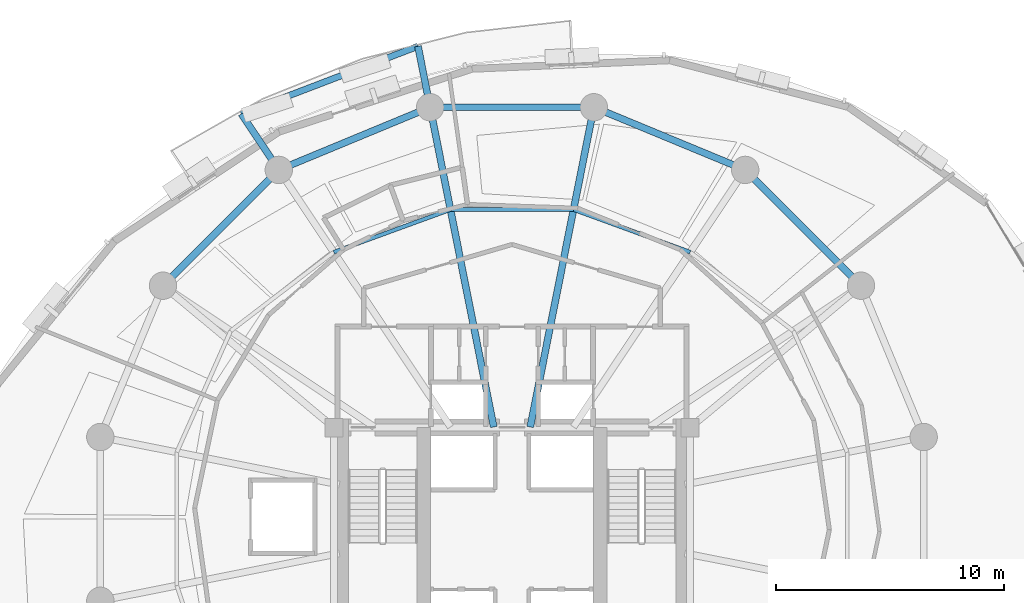
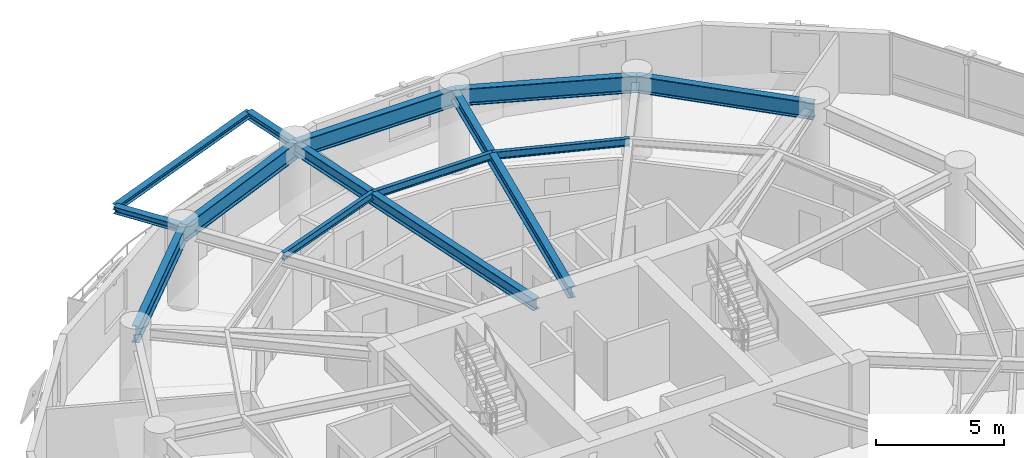
# One storey, part 7 of 15: 13 beams.
"""IFC4 building model written with IfcOpenShell, lengths in metres."""

from ifc_helpers import new_model, si_unit, direction, frame, origin, origin_2d, place, context, subcontext, project, spatial, i_section, extrude, material, material_profile, profile_set, type_object, element, save


model = new_model("IFC4")

# Units and contexts
model_context = context("Model", 3, precision=1e-05, world=origin(), true_north=direction((0.0, 1.0)))
body_context = subcontext(model_context, "Body", "Model", "MODEL_VIEW")
ifc_project = project(units=[si_unit("LENGTHUNIT", "METRE"), si_unit("AREAUNIT", "SQUARE_METRE"), si_unit("VOLUMEUNIT", "CUBIC_METRE"), si_unit("PLANEANGLEUNIT", "RADIAN"), si_unit("MASSUNIT", "GRAM", prefix="KILO"), si_unit("THERMODYNAMICTEMPERATUREUNIT", "KELVIN"), si_unit("POWERUNIT", "WATT")], contexts=[model_context])

# Site, building, storey
site_placement = place(None, origin())
site = spatial("IfcSite", under=ifc_project, at=site_placement, CompositionType="ELEMENT")
building_placement = place(site_placement, origin())
building = spatial("IfcBuilding", under=site, at=building_placement, Name="Ocrelia Relay Tower", CompositionType="ELEMENT")
storey_placement = place(building_placement, frame((0.0, 0.0, 109.800048828125)))
storey = spatial("IfcBuildingStorey", under=building, at=storey_placement, Name="L25", CompositionType="ELEMENT", Elevation=109.800048828125)

# Beams
ifc_material = material(Name="Steel S355", Category="steel")
ifc_material_profile_1 = material_profile(ifc_material, i_section(OverallWidth=0.280029296875, OverallDepth=0.27001953125, WebThickness=0.008056640625, FlangeThickness=0.012939453125, FilletRadius=0.02392578125, at=origin_2d()), Name="HEA 280")
ifc_profile_set_1 = profile_set([ifc_material_profile_1], Name="Steel S355")
beam_type_1 = type_object("IfcBeamType", Name="BM-HEA280", PredefinedType="BEAM", material=ifc_profile_set_1)
beam_1_placement = place(storey_placement, frame((29.878662109375, 46.718994140625, 3.5849609375), z_axis=(-0.933909895716, -0.357508470785, 0.0), x_axis=(0.357508470785, -0.933909895716, 0.0)))
element("IfcBeam", 1, at=beam_1_placement, inside=storey, type_object=beam_type_1, Name="L26 Balcony Edge Trimmer Beam B1", PredefinedType="BEAM", context=body_context, shape_type="SweptSolid", body=[
    extrude(i_section(OverallWidth=0.280029296875, OverallDepth=0.27001953125, WebThickness=0.008056640625, FlangeThickness=0.012939453125, FilletRadius=0.02392578125, at=origin_2d()), origin(), (0.0, 0.0, 1.0), 8.290283203125),
])
ifc_material_profile_2 = material_profile(ifc_material, i_section(OverallWidth=0.300048828125, OverallDepth=0.330078125, WebThickness=0.009521484375, FlangeThickness=0.0166015625, FilletRadius=0.027099609375, at=origin_2d()), Name="HEA 340")
ifc_profile_set_2 = profile_set([ifc_material_profile_2], Name="Steel S355")
beam_type_2 = type_object("IfcBeamType", Name="BM-HEA340", PredefinedType="BEAM", material=ifc_profile_set_2)
beam_2_placement = place(storey_placement, frame((30.410400390625, 44.04638671875, 3.554931640625), z_axis=(-0.195133957633, 0.98077659973, 0.0), x_axis=(-0.98077659973, -0.195133957633, 0.0)))
element("IfcBeam", 2, at=beam_2_placement, inside=storey, type_object=beam_type_2, Name="L26 Balcony Cantilever Beam B1-1", PredefinedType="BEAM", context=body_context, shape_type="SweptSolid", body=[
    extrude(i_section(OverallWidth=0.300048828125, OverallDepth=0.330078125, WebThickness=0.009521484375, FlangeThickness=0.0166015625, FilletRadius=0.027099609375, at=origin_2d()), origin(), (0.0, 0.0, 1.0), 2.72509765625),
])
beam_3_placement = place(storey_placement, frame((23.777587890625, 41.299072265625, 3.554931640625), z_axis=(-0.555634390845, 0.831426739834, 0.0), x_axis=(-0.831426739834, -0.555634390845, 0.0)))
element("IfcBeam", 3, at=beam_3_placement, inside=storey, type_object=beam_type_2, Name="L26 Balcony Cantilever Beam B1-2", PredefinedType="BEAM", context=body_context, shape_type="SweptSolid", body=[
    extrude(i_section(OverallWidth=0.300048828125, OverallDepth=0.330078125, WebThickness=0.009521484375, FlangeThickness=0.0166015625, FilletRadius=0.027099609375, at=origin_2d()), origin(), (0.0, 0.0, 1.0), 2.9541015625),
])
ifc_material_profile_3 = material_profile(ifc_material, i_section(OverallWidth=0.300048828125, OverallDepth=0.550048828125, WebThickness=0.014892578125, FlangeThickness=0.029052734375, FilletRadius=0.027099609375, at=origin_2d()), Name="HEB 550")
ifc_profile_set_3 = profile_set([ifc_material_profile_3], Name="Steel S355")
beam_type_3 = type_object("IfcBeamType", Name="BM-HEB550", PredefinedType="BEAM", material=ifc_profile_set_3)
for number, where, z_axis, x_axis, name in (
    (4, (37.589599609375, 44.04638671875, 3.445068359375), (-0.195094300142, -0.980784489096, 0.0), (0.980784489096, -0.195094300142, 0.0), "L25 Radial Floor Girder R04"),
    (5, (30.410400390625, 44.04638671875, 3.445068359375), (0.195094300142, -0.980784489096, 0.0), (0.980784489096, 0.195094300142, 0.0), "L25 Radial Floor Girder R05"),
):
    element("IfcBeam", number, at=place(storey_placement, frame(where, z_axis=z_axis, x_axis=x_axis)), inside=storey, type_object=beam_type_3, Name=name, PredefinedType="BEAM", context=body_context, shape_type="SweptSolid", body=[
        extrude(i_section(OverallWidth=0.300048828125, OverallDepth=0.550048828125, WebThickness=0.014892578125, FlangeThickness=0.029052734375, FilletRadius=0.027099609375, at=origin_2d()), origin(), (0.0, 0.0, 1.0), 14.291015625),
    ])
ifc_material_profile_4 = material_profile(ifc_material, i_section(OverallWidth=0.300048828125, OverallDepth=0.800048828125, WebThickness=0.017578125, FlangeThickness=0.032958984375, FilletRadius=0.030029296875, at=origin_2d()), Name="HEB 800")
ifc_profile_set_4 = profile_set([ifc_material_profile_4], Name="Steel S355")
beam_type_4 = type_object("IfcBeamType", Name="BM-HEB800", PredefinedType="BEAM", material=ifc_profile_set_4)
beam_4_placement = place(storey_placement, frame((49.299072265625, 36.222412109375, 3.320068359375), z_axis=(-0.707106781187, 0.707106781187, 0.0), x_axis=(-0.707106781187, -0.707106781187, 0.0)))
element("IfcBeam", 6, at=beam_4_placement, inside=storey, type_object=beam_type_4, Name="L25 Perimeter Spandrel Beam S02", PredefinedType="BEAM", context=body_context, shape_type="SweptSolid", body=[
    extrude(i_section(OverallWidth=0.300048828125, OverallDepth=0.800048828125, WebThickness=0.017578125, FlangeThickness=0.032958984375, FilletRadius=0.030029296875, at=origin_2d()), origin(), (0.0, 0.0, 1.0), 7.179443359375),
])
for number, where, z_axis, x_axis, name in (
    (7, (44.222412109375, 41.299072265625, 3.320068359375), (-0.923883789366, 0.382673155247, 0.0), (-0.382673155247, -0.923883789366, 0.0), "L25 Perimeter Spandrel Beam S03"),
    (8, (37.589599609375, 44.04638671875, 3.320068359375), (-1.0, 0.0, 0.0), (0.0, -1.0, 0.0), "L25 Perimeter Spandrel Beam S04"),
    (9, (30.410400390625, 44.04638671875, 3.320068359375), (-0.923883789366, -0.382673155247, 0.0), (0.382673155247, -0.923883789366, 0.0), "L25 Perimeter Spandrel Beam S05"),
):
    element("IfcBeam", number, at=place(storey_placement, frame(where, z_axis=z_axis, x_axis=x_axis)), inside=storey, type_object=beam_type_4, Name=name, PredefinedType="BEAM", context=body_context, shape_type="SweptSolid", body=[
        extrude(i_section(OverallWidth=0.300048828125, OverallDepth=0.800048828125, WebThickness=0.017578125, FlangeThickness=0.032958984375, FilletRadius=0.030029296875, at=origin_2d()), origin(), (0.0, 0.0, 1.0), 7.17919921875),
    ])
beam_5_placement = place(storey_placement, frame((23.777587890625, 41.299072265625, 3.320068359375), z_axis=(-0.707106781187, -0.707106781187, 0.0), x_axis=(0.707106781187, -0.707106781187, 0.0)))
element("IfcBeam", 10, at=beam_5_placement, inside=storey, type_object=beam_type_4, Name="L25 Perimeter Spandrel Beam S06", PredefinedType="BEAM", context=body_context, shape_type="SweptSolid", body=[
    extrude(i_section(OverallWidth=0.300048828125, OverallDepth=0.800048828125, WebThickness=0.017578125, FlangeThickness=0.032958984375, FilletRadius=0.030029296875, at=origin_2d()), origin(), (0.0, 0.0, 1.0), 7.179443359375),
])
ifc_material_profile_5 = material_profile(ifc_material, i_section(OverallWidth=0.169921875, OverallDepth=0.360107421875, WebThickness=0.008056640625, FlangeThickness=0.0126953125, FilletRadius=0.01806640625, at=origin_2d()), Name="IPE 360")
ifc_profile_set_5 = profile_set([ifc_material_profile_5], Name="Steel S355")
beam_type_5 = type_object("IfcBeamType", Name="BM-IPE360", PredefinedType="JOIST", material=ifc_profile_set_5)
beam_6_placement = place(storey_placement, frame((41.81298828125, 37.69287109375, 3.5400390625), z_axis=(-0.93930687927, 0.34307810562, 0.0), x_axis=(-0.34307810562, -0.93930687927, 0.0)))
element("IfcBeam", 11, at=beam_6_placement, inside=storey, type_object=beam_type_5, Name="L25 Secondary Floor Joist J03", PredefinedType="JOIST", context=body_context, shape_type="SweptSolid", body=[
    extrude(i_section(OverallWidth=0.169921875, OverallDepth=0.360107421875, WebThickness=0.008056640625, FlangeThickness=0.0126953125, FilletRadius=0.01806640625, at=origin_2d()), origin(), (0.0, 0.0, 1.0), 5.446044921875),
])
beam_7_placement = place(storey_placement, frame((36.697509765625, 39.561279296875, 3.5400390625), z_axis=(-1.0, 0.0, 0.0), x_axis=(0.0, -1.0, 0.0)))
element("IfcBeam", 12, at=beam_7_placement, inside=storey, type_object=beam_type_5, Name="L25 Secondary Floor Joist J04", PredefinedType="JOIST", context=body_context, shape_type="SweptSolid", body=[
    extrude(i_section(OverallWidth=0.169921875, OverallDepth=0.360107421875, WebThickness=0.008056640625, FlangeThickness=0.0126953125, FilletRadius=0.01806640625, at=origin_2d()), origin(), (0.0, 0.0, 1.0), 5.39501953125),
])
beam_8_placement = place(storey_placement, frame((31.302490234375, 39.561279296875, 3.5400390625), z_axis=(-0.93930687927, -0.34307810562, 0.0), x_axis=(0.34307810562, -0.93930687927, 0.0)))
element("IfcBeam", 13, at=beam_8_placement, inside=storey, type_object=beam_type_5, Name="L25 Secondary Floor Joist J05", PredefinedType="JOIST", context=body_context, shape_type="SweptSolid", body=[
    extrude(i_section(OverallWidth=0.169921875, OverallDepth=0.360107421875, WebThickness=0.008056640625, FlangeThickness=0.0126953125, FilletRadius=0.01806640625, at=origin_2d()), origin(), (0.0, 0.0, 1.0), 5.446044921875),
])

save(model, "model.ifc")
